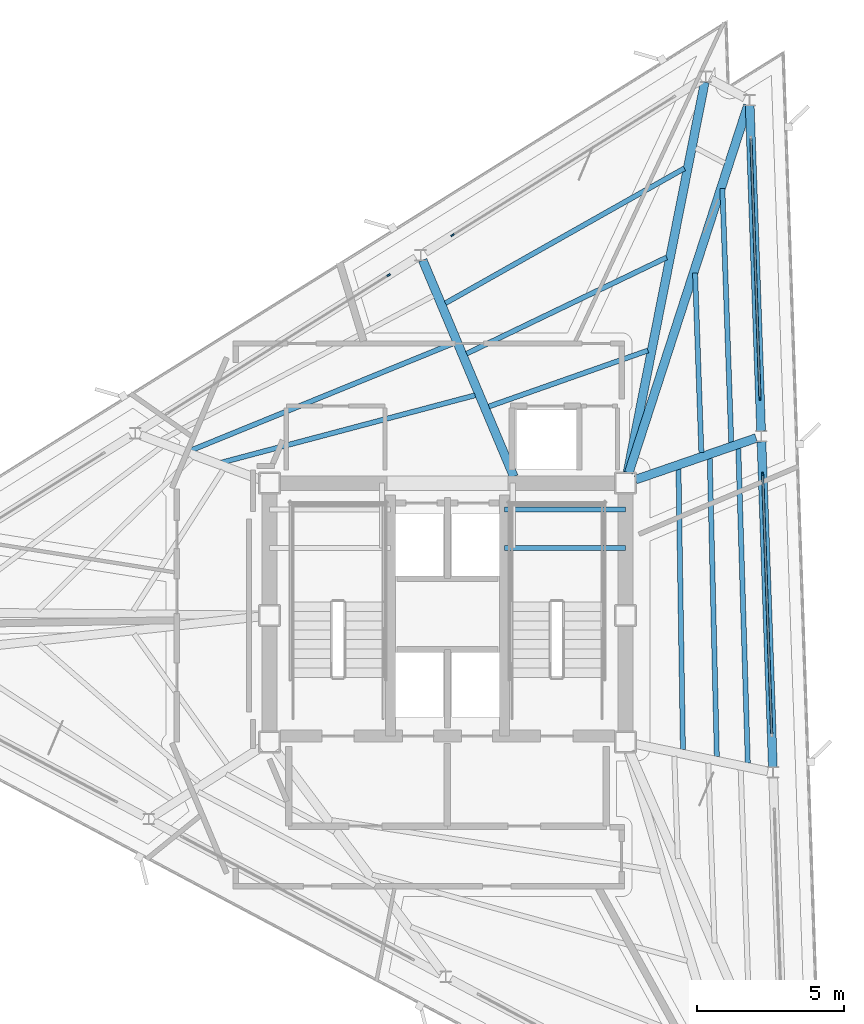
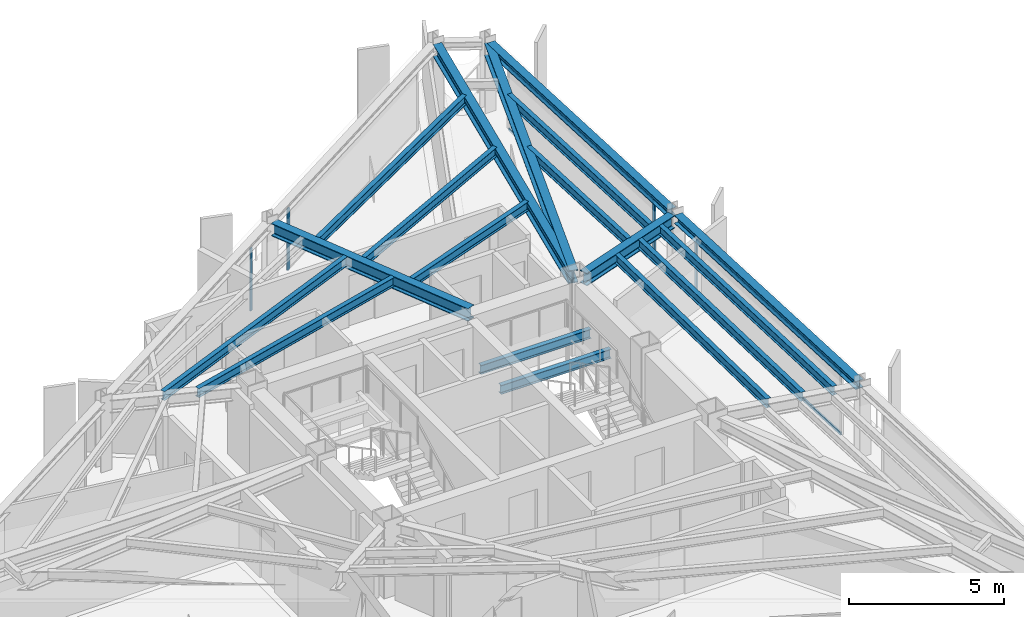
# One storey, part 5 of 13: 18 beams, 8 members, 4 elements without a shape of their own.
"""IFC4 building model written with IfcOpenShell, lengths in metres."""

from ifc_helpers import new_model, si_unit, direction, frame, origin, origin_2d, place, context, subcontext, project, spatial, rectangle, i_section, extrude, material, layer, layer_set, material_profile, profile_set, type_object, element, aggregate, save


model = new_model("IFC4")

# Units and contexts
model_context = context("Model", 3, precision=1e-05, world=origin(), true_north=direction((0.0, 1.0)))
body_context = subcontext(model_context, "Body", "Model", "MODEL_VIEW")
ifc_project = project(units=[si_unit("LENGTHUNIT", "METRE"), si_unit("AREAUNIT", "SQUARE_METRE"), si_unit("VOLUMEUNIT", "CUBIC_METRE"), si_unit("PLANEANGLEUNIT", "RADIAN"), si_unit("MASSUNIT", "GRAM", prefix="KILO")], contexts=[model_context])

# Site, building, storey
site_placement = place(None, origin())
site = spatial("IfcSite", under=ifc_project, at=site_placement, CompositionType="ELEMENT")
building_placement = place(site_placement, origin())
building = spatial("IfcBuilding", under=site, at=building_placement, Name="Rocaltana Carrier Exchange", CompositionType="ELEMENT")
storey_placement = place(building_placement, frame((0.0, 0.0, 196.639892578125)))
storey = spatial("IfcBuildingStorey", under=building, at=storey_placement, Name="L62", CompositionType="ELEMENT", Elevation=196.639892578125)

# Curtain wall, member
ifc_material_1 = material(Name="Aluminium 6063-T6", Category="aluminium")
ifc_layer = layer(ifc_material_1, 0.1201171875)
ifc_layer_set = layer_set([ifc_layer], Name="Aluminium 6063-T6")
curtain_wall_type = type_object("IfcCurtainWallType", Name="High-Altitude Thermal Curtain Wall CW-05", PredefinedType="NOTDEFINED", material=ifc_layer_set)
curtain_wall_1_placement = place(storey_placement, origin())
curtain_wall_1 = element("IfcCurtainWall", 1, at=curtain_wall_1_placement, inside=storey, type_object=curtain_wall_type, Name="L62 CW-05 Run CW-L62-F1S2", PredefinedType="NOTDEFINED")
ifc_material_2 = material(Name="Aluminium 6063-T6", Category="aluminium")
ifc_material_profile_1 = material_profile(ifc_material_2, rectangle(XDim=0.06005859375, YDim=0.1201171875, at=origin_2d()), Name="AL-60X120")
ifc_profile_set_1 = profile_set([ifc_material_profile_1], Name="Aluminium 6063-T6")
member_type_1 = type_object("IfcMemberType", Name="CW-05 Mullion AL-60X120", PredefinedType="MULLION", material=ifc_profile_set_1)
member_1_placement = place(storey_placement, frame((10.712890625, 4.8134765625, 0.0), z_axis=(0.0, 0.0, 1.0), x_axis=(-0.999390720156, -0.034902556738, 0.0)))
member_1 = element("IfcMember", 2, at=member_1_placement, type_object=member_type_1, Name="CW-05 mullion 2", PredefinedType="MULLION", context=body_context, shape_type="SweptSolid", body=[
    extrude(rectangle(XDim=0.06005859375, YDim=0.1201171875, at=origin_2d()), origin(), (0.0, 0.0, 1.0), 2.447998046875),
])

curtain_wall_2_placement = place(storey_placement, origin())
curtain_wall_2 = element("IfcCurtainWall", 3, at=curtain_wall_2_placement, inside=storey, type_object=curtain_wall_type, Name="L62 CW-05 Run CW-L62-F1S3", PredefinedType="NOTDEFINED")
member_2_placement = place(storey_placement, frame((10.62353515625, 7.371826171875, 0.0), z_axis=(0.0, 0.0, 1.0), x_axis=(-0.999390720156, -0.034902556738, 0.0)))
member_2 = element("IfcMember", 4, at=member_2_placement, type_object=member_type_1, Name="CW-05 mullion 1", PredefinedType="MULLION", context=body_context, shape_type="SweptSolid", body=[
    extrude(rectangle(XDim=0.06005859375, YDim=0.1201171875, at=origin_2d()), origin(), (0.0, 0.0, 1.0), 2.447998046875),
])

curtain_wall_3_placement = place(storey_placement, origin())
curtain_wall_3 = element("IfcCurtainWall", 5, at=curtain_wall_3_placement, inside=storey, type_object=curtain_wall_type, Name="L62 CW-05 Run CW-L62-F2S1", PredefinedType="NOTDEFINED")
member_3_placement = place(storey_placement, frame((0.171142578125, 12.9296875, 0.0), z_axis=(0.0, 0.0, 1.0), x_axis=(0.529928503412, -0.848042322807, 0.0)))
member_3 = element("IfcMember", 6, at=member_3_placement, type_object=member_type_1, Name="CW-05 mullion 2", PredefinedType="MULLION", context=body_context, shape_type="SweptSolid", body=[
    extrude(rectangle(XDim=0.06005859375, YDim=0.1201171875, at=origin_2d()), origin(), (0.0, 0.0, 1.0), 2.447998046875),
])
aggregate(curtain_wall_3, [member_3])

curtain_wall_4_placement = place(storey_placement, origin())
curtain_wall_4 = element("IfcCurtainWall", 7, at=curtain_wall_4_placement, inside=storey, type_object=curtain_wall_type, Name="L62 CW-05 Run CW-L62-F2S2", PredefinedType="NOTDEFINED")
member_4_placement = place(storey_placement, frame((-2.0, 11.572998046875, 0.0), z_axis=(0.0, 0.0, 1.0), x_axis=(0.529920452816, -0.848047353446, 0.0)))
member_4 = element("IfcMember", 8, at=member_4_placement, type_object=member_type_1, Name="CW-05 mullion 1", PredefinedType="MULLION", context=body_context, shape_type="SweptSolid", body=[
    extrude(rectangle(XDim=0.06005859375, YDim=0.1201171875, at=origin_2d()), origin(), (0.0, 0.0, 1.0), 2.447998046875),
])
aggregate(curtain_wall_4, [member_4])

# Member
ifc_material_3 = material(Name="Aluminium 6063-T6", Category="aluminium")
ifc_material_profile_2 = material_profile(ifc_material_3, rectangle(XDim=0.06005859375, YDim=0.1201171875, at=origin_2d()), Name="AL-60X120")
ifc_profile_set_2 = profile_set([ifc_material_profile_2], Name="Aluminium 6063-T6")
member_type_2 = type_object("IfcMemberType", Name="CW-05 Transom AL-60X120", PredefinedType="USERDEFINED", material=ifc_profile_set_2)
member_5_placement = place(storey_placement, frame((11.021484375, -4.024658203125, 0.030029296875), z_axis=(-0.034903051323, 0.999390702883, 0.0), x_axis=(-0.999390702883, -0.034903051323, 0.0)))
member_5 = element("IfcMember", 9, at=member_5_placement, type_object=member_type_2, Name="CW-05 transom 1.1", ObjectType="TRANSOM", PredefinedType="USERDEFINED", context=body_context, shape_type="SweptSolid", body=[
    extrude(rectangle(XDim=0.06005859375, YDim=0.1201171875, at=origin_2d()), origin(), (0.0, 0.0, 1.0), 8.8134765625),
])

member_6_placement = place(storey_placement, frame((11.021484375, -4.024658203125, 2.418212890625), z_axis=(-0.034903051323, 0.999390702883, 0.0), x_axis=(-0.999390702883, -0.034903051323, 0.0)))
member_6 = element("IfcMember", 10, at=member_6_placement, type_object=member_type_2, Name="CW-05 transom 1.2", ObjectType="TRANSOM", PredefinedType="USERDEFINED", context=body_context, shape_type="SweptSolid", body=[
    extrude(rectangle(XDim=0.06005859375, YDim=0.1201171875, at=origin_2d()), origin(), (0.0, 0.0, 1.0), 8.8134765625),
])

aggregate(curtain_wall_1, [member_1, member_5, member_6])

member_7_placement = place(storey_placement, frame((10.62255859375, 7.40185546875, 0.030029296875), z_axis=(-0.034903051323, 0.999390702883, 0.0), x_axis=(-0.999390702883, -0.034903051323, 0.0)))
member_7 = element("IfcMember", 11, at=member_7_placement, type_object=member_type_2, Name="CW-05 transom 1.1", ObjectType="TRANSOM", PredefinedType="USERDEFINED", context=body_context, shape_type="SweptSolid", body=[
    extrude(rectangle(XDim=0.06005859375, YDim=0.1201171875, at=origin_2d()), origin(), (0.0, 0.0, 1.0), 8.8134765625),
])

member_8_placement = place(storey_placement, frame((10.62255859375, 7.40185546875, 2.418212890625), z_axis=(-0.034903051323, 0.999390702883, 0.0), x_axis=(-0.999390702883, -0.034903051323, 0.0)))
member_8 = element("IfcMember", 12, at=member_8_placement, type_object=member_type_2, Name="CW-05 transom 1.2", ObjectType="TRANSOM", PredefinedType="USERDEFINED", context=body_context, shape_type="SweptSolid", body=[
    extrude(rectangle(XDim=0.06005859375, YDim=0.1201171875, at=origin_2d()), origin(), (0.0, 0.0, 1.0), 8.8134765625),
])

aggregate(curtain_wall_2, [member_2, member_7, member_8])

# Beams
ifc_material_4 = material(Name="Steel S355", Category="steel")
ifc_material_profile_3 = material_profile(ifc_material_4, i_section(OverallWidth=0.172119140625, OverallDepth=0.35791015625, WebThickness=0.0078125, FlangeThickness=0.01318359375, FilletRadius=0.011962890625, at=origin_2d()), Name="W14X38")
ifc_profile_set_3 = profile_set([ifc_material_profile_3], Name="Steel S355")
beam_type_1 = type_object("IfcBeamType", Name="Floor Joist W14X38", PredefinedType="JOIST", material=ifc_profile_set_3)
for number, where, z_axis, x_axis, name in (
    (13, (1.93994140625, 2.300048828125, 1.14111328125), (1.0, 0.0, 0.0), (0.0, 1.0, 0.0), "L62 ST-2 Landing Carrier 1"),
    (14, (1.93994140625, 3.60009765625, 1.14111328125), (1.0, 0.0, 0.0), (0.0, 1.0, 0.0), "L62 ST-2 Landing Carrier 2"),
):
    element("IfcBeam", number, at=place(storey_placement, frame(where, z_axis=z_axis, x_axis=x_axis)), inside=storey, type_object=beam_type_1, Name=name, PredefinedType="JOIST", context=body_context, shape_type="SweptSolid", body=[
        extrude(i_section(OverallWidth=0.172119140625, OverallDepth=0.35791015625, WebThickness=0.0078125, FlangeThickness=0.01318359375, FilletRadius=0.011962890625, at=origin_2d()), origin(), (0.0, 0.0, 1.0), 4.110107421875),
    ])
beam_1_placement = place(storey_placement, frame((8.00439453125, -4.55908203125, 2.619140625), z_axis=(-0.015819427731, 0.999874865024, 0.0), x_axis=(-0.999874865024, -0.015819427731, 0.0)))
element("IfcBeam", 15, at=beam_1_placement, inside=storey, type_object=beam_type_1, Name="FJ-L62-02-1", PredefinedType="JOIST", context=body_context, shape_type="SweptSolid", body=[
    extrude(i_section(OverallWidth=0.172119140625, OverallDepth=0.35791015625, WebThickness=0.0078125, FlangeThickness=0.01318359375, FilletRadius=0.011962890625, at=origin_2d()), origin(), (0.0, 0.0, 1.0), 9.53759765625),
])
beam_2_placement = place(storey_placement, frame((9.1572265625, -4.796875, 2.619140625), z_axis=(-0.023708273398, 0.999718919383, 0.0), x_axis=(-0.999718919383, -0.023708273398, 0.0)))
element("IfcBeam", 16, at=beam_2_placement, inside=storey, type_object=beam_type_1, Name="FJ-L62-02-2", PredefinedType="JOIST", context=body_context, shape_type="SweptSolid", body=[
    extrude(i_section(OverallWidth=0.172119140625, OverallDepth=0.35791015625, WebThickness=0.0078125, FlangeThickness=0.01318359375, FilletRadius=0.011962890625, at=origin_2d()), origin(), (0.0, 0.0, 1.0), 10.143310546875),
])
beam_3_placement = place(storey_placement, frame((10.2099609375, -5.013916015625, 2.619140625), z_axis=(-0.030150236213, 0.999545378288, 0.0), x_axis=(-0.999545378288, -0.030150236213, 0.0)))
element("IfcBeam", 17, at=beam_3_placement, inside=storey, type_object=beam_type_1, Name="FJ-L62-02-3", PredefinedType="JOIST", context=body_context, shape_type="SweptSolid", body=[
    extrude(i_section(OverallWidth=0.172119140625, OverallDepth=0.35791015625, WebThickness=0.0078125, FlangeThickness=0.01318359375, FilletRadius=0.011962890625, at=origin_2d()), origin(), (0.0, 0.0, 1.0), 10.69677734375),
])
beam_4_placement = place(storey_placement, frame((8.631103515625, 5.535888671875, 2.619140625), z_axis=(-0.034896830371, 0.999390920126, 0.0), x_axis=(-0.999390920126, -0.034896830371, 0.0)))
element("IfcBeam", 18, at=beam_4_placement, inside=storey, type_object=beam_type_1, Name="FJ-L62-03-2", PredefinedType="JOIST", context=body_context, shape_type="SweptSolid", body=[
    extrude(i_section(OverallWidth=0.172119140625, OverallDepth=0.35791015625, WebThickness=0.0078125, FlangeThickness=0.01318359375, FilletRadius=0.011962890625, at=origin_2d()), origin(), (0.0, 0.0, 1.0), 6.114501953125),
])
beam_5_placement = place(storey_placement, frame((9.647216796875, 5.88623046875, 2.619140625), z_axis=(-0.034909498386, 0.999390477703, 0.0), x_axis=(-0.999390477703, -0.034909498386, 0.0)))
element("IfcBeam", 19, at=beam_5_placement, inside=storey, type_object=beam_type_1, Name="FJ-L62-03-3", PredefinedType="JOIST", context=body_context, shape_type="SweptSolid", body=[
    extrude(i_section(OverallWidth=0.172119140625, OverallDepth=0.35791015625, WebThickness=0.0078125, FlangeThickness=0.01318359375, FilletRadius=0.011962890625, at=origin_2d()), origin(), (0.0, 0.0, 1.0), 8.630126953125),
])
beam_6_placement = place(storey_placement, frame((6.815673828125, 9.009521484375, 2.619140625), z_axis=(-0.943243231167, -0.332102705285, 0.0), x_axis=(0.332102705285, -0.943243231167, 0.0)))
element("IfcBeam", 20, at=beam_6_placement, inside=storey, type_object=beam_type_1, Name="FJ-L62-05-1", PredefinedType="JOIST", context=body_context, shape_type="SweptSolid", body=[
    extrude(i_section(OverallWidth=0.172119140625, OverallDepth=0.35791015625, WebThickness=0.0078125, FlangeThickness=0.01318359375, FilletRadius=0.011962890625, at=origin_2d()), origin(), (0.0, 0.0, 1.0), 5.732666015625),
])
beam_7_placement = place(storey_placement, frame((7.449951171875, 12.17138671875, 2.619140625), z_axis=(-0.90125874398, -0.433281290155, 0.0), x_axis=(0.433281290155, -0.90125874398, 0.0)))
element("IfcBeam", 21, at=beam_7_placement, inside=storey, type_object=beam_type_1, Name="FJ-L62-05-2", PredefinedType="JOIST", context=body_context, shape_type="SweptSolid", body=[
    extrude(i_section(OverallWidth=0.172119140625, OverallDepth=0.35791015625, WebThickness=0.0078125, FlangeThickness=0.01318359375, FilletRadius=0.011962890625, at=origin_2d()), origin(), (0.0, 0.0, 1.0), 7.543212890625),
])
beam_8_placement = place(storey_placement, frame((8.05517578125, 15.201171875, 2.619140625), z_axis=(-0.870951476943, -0.491369031187, 0.0), x_axis=(0.491369031187, -0.870951476943, 0.0)))
element("IfcBeam", 22, at=beam_8_placement, inside=storey, type_object=beam_type_1, Name="FJ-L62-05-3", PredefinedType="JOIST", context=body_context, shape_type="SweptSolid", body=[
    extrude(i_section(OverallWidth=0.172119140625, OverallDepth=0.35791015625, WebThickness=0.0078125, FlangeThickness=0.01318359375, FilletRadius=0.011962890625, at=origin_2d()), origin(), (0.0, 0.0, 1.0), 9.330078125),
])
beam_9_placement = place(storey_placement, frame((0.937744140625, 7.486083984375, 2.619140625), z_axis=(-0.966555608165, -0.256457123756, 0.0), x_axis=(0.256457123756, -0.966555608165, 0.0)))
element("IfcBeam", 23, at=beam_9_placement, inside=storey, type_object=beam_type_1, Name="FJ-L62-06-1", PredefinedType="JOIST", context=body_context, shape_type="SweptSolid", body=[
    extrude(i_section(OverallWidth=0.172119140625, OverallDepth=0.35791015625, WebThickness=0.0078125, FlangeThickness=0.01318359375, FilletRadius=0.011962890625, at=origin_2d()), origin(), (0.0, 0.0, 1.0), 8.92578125),
])
beam_10_placement = place(storey_placement, frame((0.192626953125, 9.25146484375, 2.619140625), z_axis=(-0.925846018296, -0.37790097963, 0.0), x_axis=(0.37790097963, -0.925846018296, 0.0)))
element("IfcBeam", 24, at=beam_10_placement, inside=storey, type_object=beam_type_1, Name="FJ-L62-06-2", PredefinedType="JOIST", context=body_context, shape_type="SweptSolid", body=[
    extrude(i_section(OverallWidth=0.172119140625, OverallDepth=0.35791015625, WebThickness=0.0078125, FlangeThickness=0.01318359375, FilletRadius=0.011962890625, at=origin_2d()), origin(), (0.0, 0.0, 1.0), 9.652587890625),
])
ifc_material_5 = material(Name="Steel S355", Category="steel")
ifc_material_profile_4 = material_profile(ifc_material_5, i_section(OverallWidth=0.300048828125, OverallDepth=0.320068359375, WebThickness=0.011474609375, FlangeThickness=0.0205078125, FilletRadius=0.027099609375, at=origin_2d()), Name="HEB320")
ifc_profile_set_4 = profile_set([ifc_material_profile_4], Name="Steel S355")
beam_type_2 = type_object("IfcBeamType", Name="Spandrel Edge Beam HEB320", PredefinedType="SPANDREL", material=ifc_profile_set_4)
beam_11_placement = place(storey_placement, frame((11.060791015625, -5.148193359375, 2.63818359375), z_axis=(-0.034892504549, 0.999391071166, 0.0), x_axis=(-0.999391071166, -0.034892504549, 0.0)))
element("IfcBeam", 25, at=beam_11_placement, inside=storey, type_object=beam_type_2, Name="SP-L62-02", PredefinedType="SPANDREL", context=body_context, shape_type="SweptSolid", body=[
    extrude(i_section(OverallWidth=0.300048828125, OverallDepth=0.320068359375, WebThickness=0.011474609375, FlangeThickness=0.0205078125, FilletRadius=0.027099609375, at=origin_2d()), origin(), (0.0, 0.0, 1.0), 11.062255859375),
])
beam_12_placement = place(storey_placement, frame((10.66162109375, 6.278076171875, 2.63818359375), z_axis=(-0.034891734961, 0.999391098035, 0.0), x_axis=(-0.999391098035, -0.034891734961, 0.0)))
element("IfcBeam", 26, at=beam_12_placement, inside=storey, type_object=beam_type_2, Name="SP-L62-03", PredefinedType="SPANDREL", context=body_context, shape_type="SweptSolid", body=[
    extrude(i_section(OverallWidth=0.300048828125, OverallDepth=0.320068359375, WebThickness=0.011474609375, FlangeThickness=0.0205078125, FilletRadius=0.027099609375, at=origin_2d()), origin(), (0.0, 0.0, 1.0), 11.0625),
])
ifc_material_6 = material(Name="Steel S355", Category="steel")
ifc_material_profile_5 = material_profile(ifc_material_6, i_section(OverallWidth=0.300048828125, OverallDepth=0.5, WebThickness=0.014404296875, FlangeThickness=0.028076171875, FilletRadius=0.027099609375, at=origin_2d()), Name="HEB500")
ifc_profile_set_5 = profile_set([ifc_material_profile_5], Name="Steel S355")
beam_type_3 = type_object("IfcBeamType", Name="Upper Radial Girder HEB500", PredefinedType="BEAM", material=ifc_profile_set_5)
beam_13_placement = place(storey_placement, frame((6.39697265625, 4.61962890625, 2.548095703125), z_axis=(0.945358609148, 0.326032360525, 0.0), x_axis=(-0.326032360525, 0.945358609148, 0.0)))
element("IfcBeam", 27, at=beam_13_placement, inside=storey, type_object=beam_type_3, Name="RG-L62-03", PredefinedType="BEAM", context=body_context, shape_type="SweptSolid", body=[
    extrude(i_section(OverallWidth=0.300048828125, OverallDepth=0.5, WebThickness=0.014404296875, FlangeThickness=0.028076171875, FilletRadius=0.027099609375, at=origin_2d()), origin(), (0.0, 0.0, 1.0), 4.332763671875),
])
beam_14_placement = place(storey_placement, frame((6.1630859375, 4.84912109375, 2.548095703125), z_axis=(0.308291934465, 0.951291797055, 0.0), x_axis=(-0.951291797055, 0.308291934465, 0.0)))
element("IfcBeam", 28, at=beam_14_placement, inside=storey, type_object=beam_type_3, Name="RG-L62-04", PredefinedType="BEAM", context=body_context, shape_type="SweptSolid", body=[
    extrude(i_section(OverallWidth=0.300048828125, OverallDepth=0.5, WebThickness=0.014404296875, FlangeThickness=0.028076171875, FilletRadius=0.027099609375, at=origin_2d()), origin(), (0.0, 0.0, 1.0), 13.133056640625),
])
beam_15_placement = place(storey_placement, frame((6.12109375, 4.860107421875, 2.548095703125), z_axis=(0.194046791862, 0.980992274469, 0.0), x_axis=(-0.980992274469, 0.194046791862, 0.0)))
element("IfcBeam", 29, at=beam_15_placement, inside=storey, type_object=beam_type_3, Name="RG-L62-05", PredefinedType="BEAM", context=body_context, shape_type="SweptSolid", body=[
    extrude(i_section(OverallWidth=0.300048828125, OverallDepth=0.5, WebThickness=0.014404296875, FlangeThickness=0.028076171875, FilletRadius=0.027099609375, at=origin_2d()), origin(), (0.0, 0.0, 1.0), 13.525146484375),
])
beam_16_placement = place(storey_placement, frame((2.256103515625, 4.722900390625, 2.548095703125), z_axis=(-0.388139028608, 0.921600832503, 0.0), x_axis=(-0.921600832503, -0.388139028608, 0.0)))
element("IfcBeam", 30, at=beam_16_placement, inside=storey, type_object=beam_type_3, Name="RG-L62-06", PredefinedType="BEAM", context=body_context, shape_type="SweptSolid", body=[
    extrude(i_section(OverallWidth=0.300048828125, OverallDepth=0.5, WebThickness=0.014404296875, FlangeThickness=0.028076171875, FilletRadius=0.027099609375, at=origin_2d()), origin(), (0.0, 0.0, 1.0), 7.9833984375),
])

save(model, "model.ifc")
